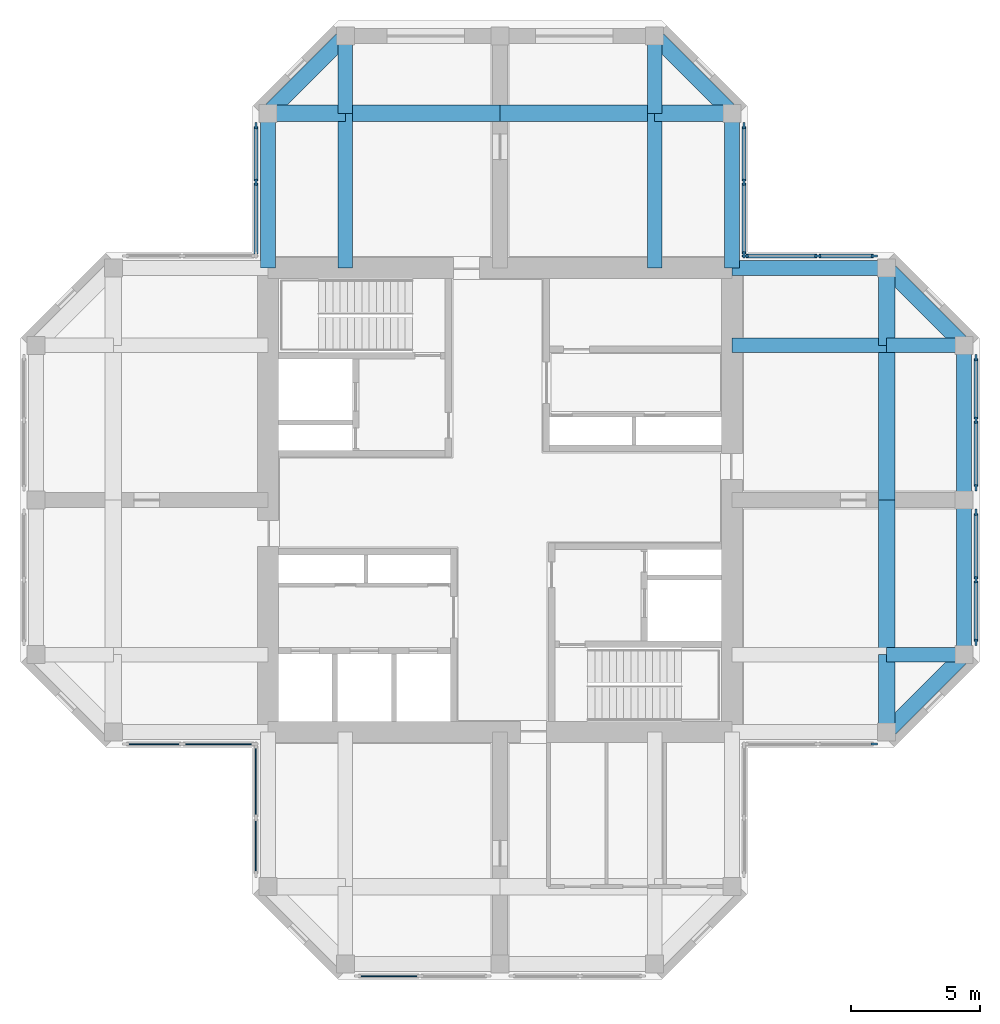
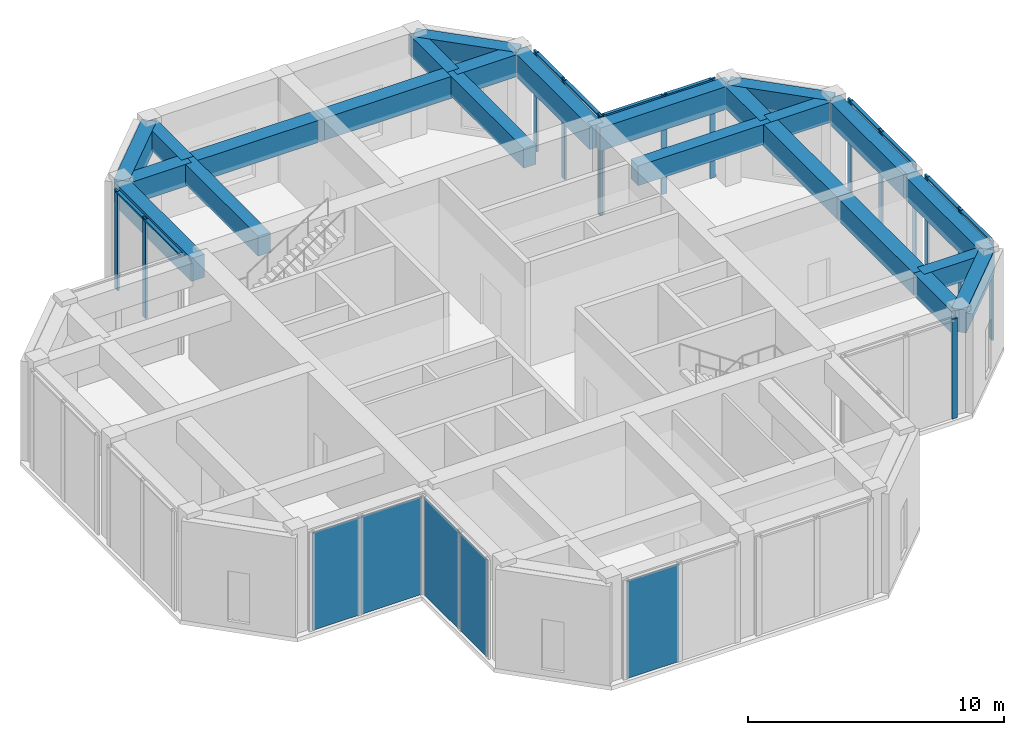
# One storey, part 3 of 8: 25 members, 24 beams, 5 plates, 8 elements without a shape of their own.
"""IFC4 building model written with IfcOpenShell, lengths in metres."""

from ifc_helpers import new_model, si_unit, direction, frame, origin, origin_2d, place, context, subcontext, project, spatial, rectangle, extrude, material, layer, layer_set, material_profile, profile_set, type_object, element, aggregate, save


model = new_model("IFC4")

# Units and contexts
model_context = context("Model", 3, precision=1e-05, world=origin(), true_north=direction((0.0, 1.0)))
body_context = subcontext(model_context, "Body", "Model", "MODEL_VIEW")
ifc_project = project(units=[si_unit("LENGTHUNIT", "METRE"), si_unit("AREAUNIT", "SQUARE_METRE"), si_unit("VOLUMEUNIT", "CUBIC_METRE"), si_unit("PLANEANGLEUNIT", "RADIAN"), si_unit("MASSUNIT", "GRAM", prefix="KILO")], contexts=[model_context])

# Site, building, storey
site_placement = place(None, origin())
site = spatial("IfcSite", under=ifc_project, at=site_placement, CompositionType="ELEMENT")
building_placement = place(site_placement, origin())
building = spatial("IfcBuilding", under=site, at=building_placement, Name="Torre Cruceta", CompositionType="ELEMENT")
storey_placement = place(building_placement, frame((0.0, 0.0, 288.300048828125)))
storey = spatial("IfcBuildingStorey", under=building, at=storey_placement, Name="L75", CompositionType="ELEMENT", Elevation=288.300048828125)

# Beams
ifc_material_1 = material(Name="Concrete G60 (fck 60 MPa)", Category="concrete")
ifc_material_profile_1 = material_profile(ifc_material_1, rectangle(XDim=0.550048828125, YDim=0.949951171875, at=origin_2d()), Name="RC 550X950")
ifc_profile_set_1 = profile_set([ifc_material_profile_1], Name="Concrete G60 (fck 60 MPa)")
beam_type_1 = type_object("IfcBeamType", Name="COLUMN LINE BEAM RC 550X950", PredefinedType="BEAM", material=ifc_profile_set_1)
beam_1_placement = place(storey_placement, frame((6.0, 9.0, 4.27490234375), z_axis=(0.0, 1.0, 0.0), x_axis=(-1.0, 0.0, 0.0)))
element("IfcBeam", 1, at=beam_1_placement, inside=storey, type_object=beam_type_1, Name="LB3 L75 N col- 1", PredefinedType="BEAM", context=body_context, shape_type="SweptSolid", body=[
    extrude(rectangle(XDim=0.550048828125, YDim=0.949951171875, at=origin_2d()), origin(), (0.0, 0.0, 1.0), 6.0),
])
beam_2_placement = place(storey_placement, frame((6.0, 15.0, 4.27490234375), z_axis=(0.0, 1.0, 0.0), x_axis=(-1.0, 0.0, 0.0)))
element("IfcBeam", 2, at=beam_2_placement, inside=storey, type_object=beam_type_1, Name="LB3 L75 N col- 2", PredefinedType="BEAM", context=body_context, shape_type="SweptSolid", body=[
    extrude(rectangle(XDim=0.550048828125, YDim=0.949951171875, at=origin_2d()), origin(), (0.0, 0.0, 1.0), 3.0),
])
beam_3_placement = place(storey_placement, frame((-6.0, 9.0, 4.27490234375), z_axis=(0.0, 1.0, 0.0), x_axis=(-1.0, 0.0, 0.0)))
element("IfcBeam", 3, at=beam_3_placement, inside=storey, type_object=beam_type_1, Name="LB3 L75 N col+ 1", PredefinedType="BEAM", context=body_context, shape_type="SweptSolid", body=[
    extrude(rectangle(XDim=0.550048828125, YDim=0.949951171875, at=origin_2d()), origin(), (0.0, 0.0, 1.0), 6.0),
])
for number, where, z_axis, x_axis, name in (
    (4, (-6.0, 15.0, 4.27490234375), (0.0, 1.0, 0.0), (-1.0, 0.0, 0.0), "LB3 L75 N col+ 2"),
    (5, (15.0, -6.0, 4.27490234375), (1.0, 0.0, 0.0), (0.0, 1.0, 0.0), "LB3 L75 E col- 2"),
):
    element("IfcBeam", number, at=place(storey_placement, frame(where, z_axis=z_axis, x_axis=x_axis)), inside=storey, type_object=beam_type_1, Name=name, PredefinedType="BEAM", context=body_context, shape_type="SweptSolid", body=[
        extrude(rectangle(XDim=0.550048828125, YDim=0.949951171875, at=origin_2d()), origin(), (0.0, 0.0, 1.0), 3.0),
    ])
beam_4_placement = place(storey_placement, frame((9.0, 6.0, 4.27490234375), z_axis=(1.0, 0.0, 0.0), x_axis=(0.0, 1.0, 0.0)))
element("IfcBeam", 6, at=beam_4_placement, inside=storey, type_object=beam_type_1, Name="LB3 L75 E col+ 1", PredefinedType="BEAM", context=body_context, shape_type="SweptSolid", body=[
    extrude(rectangle(XDim=0.550048828125, YDim=0.949951171875, at=origin_2d()), origin(), (0.0, 0.0, 1.0), 6.0),
])
beam_5_placement = place(storey_placement, frame((15.0, 6.0, 4.27490234375), z_axis=(1.0, 0.0, 0.0), x_axis=(0.0, 1.0, 0.0)))
element("IfcBeam", 7, at=beam_5_placement, inside=storey, type_object=beam_type_1, Name="LB3 L75 E col+ 2", PredefinedType="BEAM", context=body_context, shape_type="SweptSolid", body=[
    extrude(rectangle(XDim=0.550048828125, YDim=0.949951171875, at=origin_2d()), origin(), (0.0, 0.0, 1.0), 3.0),
])
ifc_material_2 = material(Name="Concrete G60 (fck 60 MPa)", Category="concrete")
ifc_material_profile_2 = material_profile(ifc_material_2, rectangle(XDim=0.64990234375, YDim=1.050048828125, at=origin_2d()), Name="RC 650X1050")
ifc_profile_set_2 = profile_set([ifc_material_profile_2], Name="Concrete G60 (fck 60 MPa)")
beam_type_2 = type_object("IfcBeamType", Name="CROSS BEAM RC 650X1050", PredefinedType="BEAM", material=ifc_profile_set_2)
beam_6_placement = place(storey_placement, frame((9.0, 15.0, 4.224853515625), z_axis=(-1.0, 0.0, 0.0), x_axis=(0.0, -1.0, 0.0)))
element("IfcBeam", 8, at=beam_6_placement, inside=storey, type_object=beam_type_2, Name="GB3 L75 N cross15 1", PredefinedType="BEAM", context=body_context, shape_type="SweptSolid", body=[
    extrude(rectangle(XDim=0.64990234375, YDim=1.050048828125, at=origin_2d()), origin(), (0.0, 0.0, 1.0), 3.0),
])
for number, where, z_axis, x_axis, name in (
    (9, (6.0, 15.0, 4.224853515625), (-1.0, 0.0, 0.0), (0.0, -1.0, 0.0), "GB3 L75 N cross15 2"),
    (10, (0.0, 15.0, 4.224853515625), (-1.0, 0.0, 0.0), (0.0, -1.0, 0.0), "GB3 L75 N cross15 3"),
):
    element("IfcBeam", number, at=place(storey_placement, frame(where, z_axis=z_axis, x_axis=x_axis)), inside=storey, type_object=beam_type_2, Name=name, PredefinedType="BEAM", context=body_context, shape_type="SweptSolid", body=[
        extrude(rectangle(XDim=0.64990234375, YDim=1.050048828125, at=origin_2d()), origin(), (0.0, 0.0, 1.0), 6.0),
    ])
for number, where, z_axis, x_axis, name in (
    (11, (-6.0, 15.0, 4.224853515625), (-1.0, 0.0, 0.0), (0.0, -1.0, 0.0), "GB3 L75 N cross15 4"),
    (12, (15.0, -9.0, 4.224853515625), (0.0, 1.0, 0.0), (-1.0, 0.0, 0.0), "GB3 L75 E cross15 1"),
):
    element("IfcBeam", number, at=place(storey_placement, frame(where, z_axis=z_axis, x_axis=x_axis)), inside=storey, type_object=beam_type_2, Name=name, PredefinedType="BEAM", context=body_context, shape_type="SweptSolid", body=[
        extrude(rectangle(XDim=0.64990234375, YDim=1.050048828125, at=origin_2d()), origin(), (0.0, 0.0, 1.0), 3.0),
    ])
for number, where, z_axis, x_axis, name in (
    (13, (15.0, -6.0, 4.224853515625), (0.0, 1.0, 0.0), (-1.0, 0.0, 0.0), "GB3 L75 E cross15 2"),
    (14, (15.0, 0.0, 4.224853515625), (0.0, 1.0, 0.0), (-1.0, 0.0, 0.0), "GB3 L75 E cross15 3"),
):
    element("IfcBeam", number, at=place(storey_placement, frame(where, z_axis=z_axis, x_axis=x_axis)), inside=storey, type_object=beam_type_2, Name=name, PredefinedType="BEAM", context=body_context, shape_type="SweptSolid", body=[
        extrude(rectangle(XDim=0.64990234375, YDim=1.050048828125, at=origin_2d()), origin(), (0.0, 0.0, 1.0), 6.0),
    ])
beam_7_placement = place(storey_placement, frame((15.0, 6.0, 4.224853515625), z_axis=(0.0, 1.0, 0.0), x_axis=(-1.0, 0.0, 0.0)))
element("IfcBeam", 15, at=beam_7_placement, inside=storey, type_object=beam_type_2, Name="GB3 L75 E cross15 4", PredefinedType="BEAM", context=body_context, shape_type="SweptSolid", body=[
    extrude(rectangle(XDim=0.64990234375, YDim=1.050048828125, at=origin_2d()), origin(), (0.0, 0.0, 1.0), 3.0),
])

# Curtain wall, member
ifc_material_3 = material(Name="Aluminium unitised curtain wall", Category="aluminium")
curtain_wall_type = type_object("IfcCurtainWallType", Name="CURTAIN WALL CW-S SKY GARDEN", PredefinedType="USERDEFINED", material=ifc_material_3)
curtain_wall_1_placement = place(storey_placement, origin())
curtain_wall_1 = element("IfcCurtainWall", 16, at=curtain_wall_1_placement, inside=storey, type_object=curtain_wall_type, Name="CW-S L75 E side 00", ObjectType="UNITISED", PredefinedType="USERDEFINED")
ifc_material_4 = material(Name="Aluminium mullion", Category="aluminium")
ifc_material_profile_3 = material_profile(ifc_material_4, rectangle(XDim=0.080078125, YDim=0.25, at=origin_2d()), Name="AL 80X250")
ifc_profile_set_3 = profile_set([ifc_material_profile_3], Name="Aluminium mullion")
member_type_1 = type_object("IfcMemberType", Name="CW-S MULLION 80X250", PredefinedType="MULLION", material=ifc_profile_set_3)
member_1_placement = place(storey_placement, frame((14.52392578125, -9.469970703125, 0.0), z_axis=(0.0, 0.0, 1.0), x_axis=(0.0, 1.0, 0.0)))
member_1 = element("IfcMember", 17, at=member_1_placement, type_object=member_type_1, Name="CW-S mullion 3", PredefinedType="MULLION", context=body_context, shape_type="SweptSolid", body=[
    extrude(rectangle(XDim=0.080078125, YDim=0.25, at=origin_2d()), origin(), (0.0, 0.0, 1.0), 4.75),
])
aggregate(curtain_wall_1, [member_1])

# Curtain wall, members
curtain_wall_2_placement = place(storey_placement, origin())
curtain_wall_2 = element("IfcCurtainWall", 18, at=curtain_wall_2_placement, inside=storey, type_object=curtain_wall_type, Name="CW-S L75 E tip 02", ObjectType="UNITISED", PredefinedType="USERDEFINED")
member_2_placement = place(storey_placement, frame((18.469970703125, -5.52392578125, 0.0), z_axis=(0.0, 0.0, 1.0), x_axis=(-1.0, 0.0, 0.0)))
member_2 = element("IfcMember", 19, at=member_2_placement, type_object=member_type_1, Name="CW-S mullion 1", PredefinedType="MULLION", context=body_context, shape_type="SweptSolid", body=[
    extrude(rectangle(XDim=0.080078125, YDim=0.25, at=origin_2d()), origin(), (0.0, 0.0, 1.0), 4.75),
])
member_3_placement = place(storey_placement, frame((18.469970703125, -3.097412109375, 0.0), z_axis=(0.0, 0.0, 1.0), x_axis=(-1.0, 0.0, 0.0)))
member_3 = element("IfcMember", 20, at=member_3_placement, type_object=member_type_1, Name="CW-S mullion 2", PredefinedType="MULLION", context=body_context, shape_type="SweptSolid", body=[
    extrude(rectangle(XDim=0.080078125, YDim=0.25, at=origin_2d()), origin(), (0.0, 0.0, 1.0), 4.75),
])
member_4_placement = place(storey_placement, frame((18.469970703125, -0.47607421875, 0.0), z_axis=(0.0, 0.0, 1.0), x_axis=(-1.0, 0.0, 0.0)))
member_4 = element("IfcMember", 21, at=member_4_placement, type_object=member_type_1, Name="CW-S mullion 3", PredefinedType="MULLION", context=body_context, shape_type="SweptSolid", body=[
    extrude(rectangle(XDim=0.080078125, YDim=0.25, at=origin_2d()), origin(), (0.0, 0.0, 1.0), 4.75),
])
member_5_placement = place(storey_placement, frame((18.469970703125, 0.47607421875, 0.0), z_axis=(0.0, 0.0, 1.0), x_axis=(-1.0, 0.0, 0.0)))
member_5 = element("IfcMember", 22, at=member_5_placement, type_object=member_type_1, Name="CW-S mullion 4", PredefinedType="MULLION", context=body_context, shape_type="SweptSolid", body=[
    extrude(rectangle(XDim=0.080078125, YDim=0.25, at=origin_2d()), origin(), (0.0, 0.0, 1.0), 4.75),
])
member_6_placement = place(storey_placement, frame((18.469970703125, 3.097412109375, 0.0), z_axis=(0.0, 0.0, 1.0), x_axis=(-1.0, 0.0, 0.0)))
member_6 = element("IfcMember", 23, at=member_6_placement, type_object=member_type_1, Name="CW-S mullion 5", PredefinedType="MULLION", context=body_context, shape_type="SweptSolid", body=[
    extrude(rectangle(XDim=0.080078125, YDim=0.25, at=origin_2d()), origin(), (0.0, 0.0, 1.0), 4.75),
])
member_7_placement = place(storey_placement, frame((18.469970703125, 5.52392578125, 0.0), z_axis=(0.0, 0.0, 1.0), x_axis=(-1.0, 0.0, 0.0)))
member_7 = element("IfcMember", 24, at=member_7_placement, type_object=member_type_1, Name="CW-S mullion 6", PredefinedType="MULLION", context=body_context, shape_type="SweptSolid", body=[
    extrude(rectangle(XDim=0.080078125, YDim=0.25, at=origin_2d()), origin(), (0.0, 0.0, 1.0), 4.75),
])

curtain_wall_3_placement = place(storey_placement, origin())
curtain_wall_3 = element("IfcCurtainWall", 25, at=curtain_wall_3_placement, inside=storey, type_object=curtain_wall_type, Name="CW-S L75 E side 04", ObjectType="UNITISED", PredefinedType="USERDEFINED")
member_8_placement = place(storey_placement, frame((14.52392578125, 9.469970703125, 0.0), z_axis=(0.0, 0.0, 1.0), x_axis=(0.0, -1.0, 0.0)))
member_8 = element("IfcMember", 26, at=member_8_placement, type_object=member_type_1, Name="CW-S mullion 1", PredefinedType="MULLION", context=body_context, shape_type="SweptSolid", body=[
    extrude(rectangle(XDim=0.080078125, YDim=0.25, at=origin_2d()), origin(), (0.0, 0.0, 1.0), 4.75),
])
member_9_placement = place(storey_placement, frame((12.332275390625, 9.469970703125, 0.0), z_axis=(0.0, 0.0, 1.0), x_axis=(0.0, -1.0, 0.0)))
member_9 = element("IfcMember", 27, at=member_9_placement, type_object=member_type_1, Name="CW-S mullion 2", PredefinedType="MULLION", context=body_context, shape_type="SweptSolid", body=[
    extrude(rectangle(XDim=0.080078125, YDim=0.25, at=origin_2d()), origin(), (0.0, 0.0, 1.0), 4.75),
])
member_10_placement = place(storey_placement, frame((9.510009765625, 9.469970703125, 0.0), z_axis=(0.0, 0.0, 1.0), x_axis=(0.0, -1.0, 0.0)))
member_10 = element("IfcMember", 28, at=member_10_placement, type_object=member_type_1, Name="CW-S mullion 3", PredefinedType="MULLION", context=body_context, shape_type="SweptSolid", body=[
    extrude(rectangle(XDim=0.080078125, YDim=0.25, at=origin_2d()), origin(), (0.0, 0.0, 1.0), 4.75),
])

curtain_wall_4_placement = place(storey_placement, origin())
curtain_wall_4 = element("IfcCurtainWall", 29, at=curtain_wall_4_placement, inside=storey, type_object=curtain_wall_type, Name="CW-S L75 N side 05", ObjectType="UNITISED", PredefinedType="USERDEFINED")
member_11_placement = place(storey_placement, frame((9.469970703125, 9.510009765625, 0.0), z_axis=(0.0, 0.0, 1.0), x_axis=(-1.0, 0.0, 0.0)))
member_11 = element("IfcMember", 30, at=member_11_placement, type_object=member_type_1, Name="CW-S mullion 1", PredefinedType="MULLION", context=body_context, shape_type="SweptSolid", body=[
    extrude(rectangle(XDim=0.080078125, YDim=0.25, at=origin_2d()), origin(), (0.0, 0.0, 1.0), 4.75),
])
member_12_placement = place(storey_placement, frame((9.469970703125, 12.332275390625, 0.0), z_axis=(0.0, 0.0, 1.0), x_axis=(-1.0, 0.0, 0.0)))
member_12 = element("IfcMember", 31, at=member_12_placement, type_object=member_type_1, Name="CW-S mullion 2", PredefinedType="MULLION", context=body_context, shape_type="SweptSolid", body=[
    extrude(rectangle(XDim=0.080078125, YDim=0.25, at=origin_2d()), origin(), (0.0, 0.0, 1.0), 4.75),
])
member_13_placement = place(storey_placement, frame((9.469970703125, 14.52392578125, 0.0), z_axis=(0.0, 0.0, 1.0), x_axis=(-1.0, 0.0, 0.0)))
member_13 = element("IfcMember", 32, at=member_13_placement, type_object=member_type_1, Name="CW-S mullion 3", PredefinedType="MULLION", context=body_context, shape_type="SweptSolid", body=[
    extrude(rectangle(XDim=0.080078125, YDim=0.25, at=origin_2d()), origin(), (0.0, 0.0, 1.0), 4.75),
])

curtain_wall_5_placement = place(storey_placement, origin())
curtain_wall_5 = element("IfcCurtainWall", 33, at=curtain_wall_5_placement, inside=storey, type_object=curtain_wall_type, Name="CW-S L75 N side 09", ObjectType="UNITISED", PredefinedType="USERDEFINED")
member_14_placement = place(storey_placement, frame((-9.469970703125, 14.52392578125, 0.0), z_axis=(0.0, 0.0, 1.0), x_axis=(1.0, 0.0, 0.0)))
member_14 = element("IfcMember", 34, at=member_14_placement, type_object=member_type_1, Name="CW-S mullion 1", PredefinedType="MULLION", context=body_context, shape_type="SweptSolid", body=[
    extrude(rectangle(XDim=0.080078125, YDim=0.25, at=origin_2d()), origin(), (0.0, 0.0, 1.0), 4.75),
])
member_15_placement = place(storey_placement, frame((-9.469970703125, 12.332275390625, 0.0), z_axis=(0.0, 0.0, 1.0), x_axis=(1.0, 0.0, 0.0)))
member_15 = element("IfcMember", 35, at=member_15_placement, type_object=member_type_1, Name="CW-S mullion 2", PredefinedType="MULLION", context=body_context, shape_type="SweptSolid", body=[
    extrude(rectangle(XDim=0.080078125, YDim=0.25, at=origin_2d()), origin(), (0.0, 0.0, 1.0), 4.75),
])

# Member
ifc_material_5 = material(Name="Aluminium transom", Category="aluminium")
ifc_material_profile_4 = material_profile(ifc_material_5, rectangle(XDim=0.14990234375, YDim=0.080078125, at=origin_2d()), Name="AL 150X80")
ifc_profile_set_4 = profile_set([ifc_material_profile_4], Name="Aluminium transom")
member_type_2 = type_object("IfcMemberType", Name="CW-S TRANSOM 80X150", PredefinedType="USERDEFINED", material=ifc_profile_set_4)
member_16_placement = place(storey_placement, frame((18.469970703125, -5.48388671875, 4.7099609375), z_axis=(0.0, 1.0, 0.0), x_axis=(-1.0, 0.0, 0.0)))
member_16 = element("IfcMember", 36, at=member_16_placement, type_object=member_type_2, Name="CW-S transom 1", ObjectType="TRANSOM", PredefinedType="USERDEFINED", context=body_context, shape_type="SweptSolid", body=[
    extrude(rectangle(XDim=0.14990234375, YDim=0.080078125, at=origin_2d()), origin(), (0.0, 0.0, 1.0), 2.346435546875),
])

member_17_placement = place(storey_placement, frame((18.469970703125, -3.057373046875, 4.7099609375), z_axis=(0.0, 1.0, 0.0), x_axis=(-1.0, 0.0, 0.0)))
member_17 = element("IfcMember", 37, at=member_17_placement, type_object=member_type_2, Name="CW-S transom 2", ObjectType="TRANSOM", PredefinedType="USERDEFINED", context=body_context, shape_type="SweptSolid", body=[
    extrude(rectangle(XDim=0.14990234375, YDim=0.080078125, at=origin_2d()), origin(), (0.0, 0.0, 1.0), 2.541259765625),
])

member_18_placement = place(storey_placement, frame((18.469970703125, 0.51611328125, 4.7099609375), z_axis=(0.0, 1.0, 0.0), x_axis=(-1.0, 0.0, 0.0)))
member_18 = element("IfcMember", 38, at=member_18_placement, type_object=member_type_2, Name="CW-S transom 3", ObjectType="TRANSOM", PredefinedType="USERDEFINED", context=body_context, shape_type="SweptSolid", body=[
    extrude(rectangle(XDim=0.14990234375, YDim=0.080078125, at=origin_2d()), origin(), (0.0, 0.0, 1.0), 2.541259765625),
])

member_19_placement = place(storey_placement, frame((18.469970703125, 3.137451171875, 4.7099609375), z_axis=(0.0, 1.0, 0.0), x_axis=(-1.0, 0.0, 0.0)))
member_19 = element("IfcMember", 39, at=member_19_placement, type_object=member_type_2, Name="CW-S transom 4", ObjectType="TRANSOM", PredefinedType="USERDEFINED", context=body_context, shape_type="SweptSolid", body=[
    extrude(rectangle(XDim=0.14990234375, YDim=0.080078125, at=origin_2d()), origin(), (0.0, 0.0, 1.0), 2.346435546875),
])

aggregate(curtain_wall_2, [member_2, member_3, member_4, member_5, member_6, member_7, member_16, member_17, member_18, member_19])

member_20_placement = place(storey_placement, frame((14.48388671875, 9.469970703125, 4.7099609375), z_axis=(-1.0, 0.0, 0.0), x_axis=(0.0, -1.0, 0.0)))
member_20 = element("IfcMember", 40, at=member_20_placement, type_object=member_type_2, Name="CW-S transom 1", ObjectType="TRANSOM", PredefinedType="USERDEFINED", context=body_context, shape_type="SweptSolid", body=[
    extrude(rectangle(XDim=0.14990234375, YDim=0.080078125, at=origin_2d()), origin(), (0.0, 0.0, 1.0), 2.111572265625),
])

member_21_placement = place(storey_placement, frame((12.292236328125, 9.469970703125, 4.7099609375), z_axis=(-1.0, 0.0, 0.0), x_axis=(0.0, -1.0, 0.0)))
member_21 = element("IfcMember", 41, at=member_21_placement, type_object=member_type_2, Name="CW-S transom 2", ObjectType="TRANSOM", PredefinedType="USERDEFINED", context=body_context, shape_type="SweptSolid", body=[
    extrude(rectangle(XDim=0.14990234375, YDim=0.080078125, at=origin_2d()), origin(), (0.0, 0.0, 1.0), 2.7421875),
])

aggregate(curtain_wall_3, [member_8, member_9, member_10, member_20, member_21])

member_22_placement = place(storey_placement, frame((9.469970703125, 9.550048828125, 4.7099609375), z_axis=(0.0, 1.0, 0.0), x_axis=(-1.0, 0.0, 0.0)))
member_22 = element("IfcMember", 42, at=member_22_placement, type_object=member_type_2, Name="CW-S transom 1", ObjectType="TRANSOM", PredefinedType="USERDEFINED", context=body_context, shape_type="SweptSolid", body=[
    extrude(rectangle(XDim=0.14990234375, YDim=0.080078125, at=origin_2d()), origin(), (0.0, 0.0, 1.0), 2.7421875),
])

member_23_placement = place(storey_placement, frame((9.469970703125, 12.372314453125, 4.7099609375), z_axis=(0.0, 1.0, 0.0), x_axis=(-1.0, 0.0, 0.0)))
member_23 = element("IfcMember", 43, at=member_23_placement, type_object=member_type_2, Name="CW-S transom 2", ObjectType="TRANSOM", PredefinedType="USERDEFINED", context=body_context, shape_type="SweptSolid", body=[
    extrude(rectangle(XDim=0.14990234375, YDim=0.080078125, at=origin_2d()), origin(), (0.0, 0.0, 1.0), 2.111572265625),
])

aggregate(curtain_wall_4, [member_11, member_12, member_13, member_22, member_23])

member_24_placement = place(storey_placement, frame((-9.469970703125, 14.48388671875, 4.7099609375), z_axis=(0.0, -1.0, 0.0), x_axis=(1.0, 0.0, 0.0)))
member_24 = element("IfcMember", 44, at=member_24_placement, type_object=member_type_2, Name="CW-S transom 1", ObjectType="TRANSOM", PredefinedType="USERDEFINED", context=body_context, shape_type="SweptSolid", body=[
    extrude(rectangle(XDim=0.14990234375, YDim=0.080078125, at=origin_2d()), origin(), (0.0, 0.0, 1.0), 2.111572265625),
])

member_25_placement = place(storey_placement, frame((-9.469970703125, 12.292236328125, 4.7099609375), z_axis=(0.0, -1.0, 0.0), x_axis=(1.0, 0.0, 0.0)))
member_25 = element("IfcMember", 45, at=member_25_placement, type_object=member_type_2, Name="CW-S transom 2", ObjectType="TRANSOM", PredefinedType="USERDEFINED", context=body_context, shape_type="SweptSolid", body=[
    extrude(rectangle(XDim=0.14990234375, YDim=0.080078125, at=origin_2d()), origin(), (0.0, 0.0, 1.0), 2.7421875),
])

aggregate(curtain_wall_5, [member_14, member_15, member_24, member_25])

# Beams
ifc_material_6 = material(Name="Concrete G60 (fck 60 MPa)", Category="concrete")
ifc_material_profile_5 = material_profile(ifc_material_6, rectangle(XDim=0.60009765625, YDim=1.10009765625, at=origin_2d()), Name="RC 600X1100")
ifc_profile_set_5 = profile_set([ifc_material_profile_5], Name="Concrete G60 (fck 60 MPa)")
beam_type_3 = type_object("IfcBeamType", Name="SPANDREL BEAM RC 600X1100", PredefinedType="SPANDREL", material=ifc_profile_set_5)
beam_8_placement = place(storey_placement, frame((9.0, 9.0, 4.199951171875), z_axis=(0.0, 1.0, 0.0), x_axis=(-1.0, 0.0, 0.0)))
element("IfcBeam", 46, at=beam_8_placement, inside=storey, type_object=beam_type_3, Name="SB2 L75 N side- 1", PredefinedType="SPANDREL", context=body_context, shape_type="SweptSolid", body=[
    extrude(rectangle(XDim=0.60009765625, YDim=1.10009765625, at=origin_2d()), origin(), (0.0, 0.0, 1.0), 6.0),
])
beam_9_placement = place(storey_placement, frame((9.0, 15.0, 4.199951171875), z_axis=(-0.707106781187, 0.707106781187, 0.0), x_axis=(-0.707106781187, -0.707106781187, 0.0)))
element("IfcBeam", 47, at=beam_9_placement, inside=storey, type_object=beam_type_3, Name="SB2 L75 N side- 2", PredefinedType="SPANDREL", context=body_context, shape_type="SweptSolid", body=[
    extrude(rectangle(XDim=0.60009765625, YDim=1.10009765625, at=origin_2d()), origin(), (0.0, 0.0, 1.0), 4.24267578125),
])
beam_10_placement = place(storey_placement, frame((-9.0, 9.0, 4.199951171875), z_axis=(0.0, 1.0, 0.0), x_axis=(-1.0, 0.0, 0.0)))
element("IfcBeam", 48, at=beam_10_placement, inside=storey, type_object=beam_type_3, Name="SB2 L75 N side+ 1", PredefinedType="SPANDREL", context=body_context, shape_type="SweptSolid", body=[
    extrude(rectangle(XDim=0.60009765625, YDim=1.10009765625, at=origin_2d()), origin(), (0.0, 0.0, 1.0), 6.0),
])
for number, where, z_axis, x_axis, name in (
    (49, (-9.0, 15.0, 4.199951171875), (0.707106781187, 0.707106781187, 0.0), (-0.707106781187, 0.707106781187, 0.0), "SB2 L75 N side+ 2"),
    (50, (15.0, -9.0, 4.199951171875), (0.707106781187, 0.707106781187, 0.0), (-0.707106781187, 0.707106781187, 0.0), "SB2 L75 E side- 2"),
):
    element("IfcBeam", number, at=place(storey_placement, frame(where, z_axis=z_axis, x_axis=x_axis)), inside=storey, type_object=beam_type_3, Name=name, PredefinedType="SPANDREL", context=body_context, shape_type="SweptSolid", body=[
        extrude(rectangle(XDim=0.60009765625, YDim=1.10009765625, at=origin_2d()), origin(), (0.0, 0.0, 1.0), 4.24267578125),
    ])
beam_11_placement = place(storey_placement, frame((9.0, 9.0, 4.199951171875), z_axis=(1.0, 0.0, 0.0), x_axis=(0.0, 1.0, 0.0)))
element("IfcBeam", 51, at=beam_11_placement, inside=storey, type_object=beam_type_3, Name="SB2 L75 E side+ 1", PredefinedType="SPANDREL", context=body_context, shape_type="SweptSolid", body=[
    extrude(rectangle(XDim=0.60009765625, YDim=1.10009765625, at=origin_2d()), origin(), (0.0, 0.0, 1.0), 6.0),
])
beam_12_placement = place(storey_placement, frame((15.0, 9.0, 4.199951171875), z_axis=(0.707106781187, -0.707106781187, 0.0), x_axis=(0.707106781187, 0.707106781187, 0.0)))
element("IfcBeam", 52, at=beam_12_placement, inside=storey, type_object=beam_type_3, Name="SB2 L75 E side+ 2", PredefinedType="SPANDREL", context=body_context, shape_type="SweptSolid", body=[
    extrude(rectangle(XDim=0.60009765625, YDim=1.10009765625, at=origin_2d()), origin(), (0.0, 0.0, 1.0), 4.24267578125),
])
for number, where, z_axis, x_axis, name in (
    (53, (18.0, -6.0, 4.199951171875), (0.0, 1.0, 0.0), (-1.0, 0.0, 0.0), "SB2 L75 E tip 1"),
    (54, (18.0, 0.0, 4.199951171875), (0.0, 1.0, 0.0), (-1.0, 0.0, 0.0), "SB2 L75 E tip 2"),
):
    element("IfcBeam", number, at=place(storey_placement, frame(where, z_axis=z_axis, x_axis=x_axis)), inside=storey, type_object=beam_type_3, Name=name, PredefinedType="SPANDREL", context=body_context, shape_type="SweptSolid", body=[
        extrude(rectangle(XDim=0.60009765625, YDim=1.10009765625, at=origin_2d()), origin(), (0.0, 0.0, 1.0), 6.0),
    ])

# Curtain wall, plate
curtain_wall_6_placement = place(storey_placement, origin())
curtain_wall_6 = element("IfcCurtainWall", 55, at=curtain_wall_6_placement, inside=storey, type_object=curtain_wall_type, Name="CW-S L75 W side 14", ObjectType="UNITISED", PredefinedType="USERDEFINED")
ifc_material_7 = material(Name="Laminated insulating glass unit, low-iron clear", Category="glass")
ifc_material_8 = material(Name="Laminated insulating glass unit, low-iron clear", Category="glass")
ifc_layer_1 = layer(ifc_material_8, 0.0400390625)
ifc_layer_set_1 = layer_set([ifc_layer_1], Name="Laminated insulating glass unit, low-iron clear")
plate_type_1 = type_object("IfcPlateType", Name="CW-S OPERABLE VENT PANEL 40", PredefinedType="CURTAIN_PANEL", material=ifc_layer_set_1)
plate_1_placement = place(storey_placement, frame((-10.921142578125, -9.469970703125, 0.009765625), z_axis=(0.0, 0.0, 1.0), x_axis=(1.0, 0.0, 0.0)))
plate_1 = element("IfcPlate", 56, at=plate_1_placement, type_object=plate_type_1, material=ifc_material_7, Name="CW-S vent 2", PredefinedType="CURTAIN_PANEL", context=body_context, shape_type="SweptSolid", body=[
    extrude(rectangle(XDim=2.742431640625, YDim=0.0400390625, at=origin_2d()), origin(), (0.0, 0.0, 1.0), 4.659912109375),
])

curtain_wall_7_placement = place(storey_placement, origin())
curtain_wall_7 = element("IfcCurtainWall", 57, at=curtain_wall_7_placement, inside=storey, type_object=curtain_wall_type, Name="CW-S L75 S side 15", ObjectType="UNITISED", PredefinedType="USERDEFINED")
plate_2_placement = place(storey_placement, frame((-9.469970703125, -13.42822265625, 0.009765625), z_axis=(0.0, 0.0, 1.0), x_axis=(0.0, -1.0, 0.0)))
plate_2 = element("IfcPlate", 58, at=plate_2_placement, type_object=plate_type_1, material=ifc_material_7, Name="CW-S vent 2", PredefinedType="CURTAIN_PANEL", context=body_context, shape_type="SweptSolid", body=[
    extrude(rectangle(XDim=2.111572265625, YDim=0.0400390625, at=origin_2d()), origin(), (0.0, 0.0, 1.0), 4.659912109375),
])

# Plate
ifc_material_9 = material(Name="Laminated insulating glass unit, low-iron clear", Category="glass")
ifc_layer_2 = layer(ifc_material_9, 0.0400390625)
ifc_layer_set_2 = layer_set([ifc_layer_2], Name="Laminated insulating glass unit, low-iron clear")
plate_type_2 = type_object("IfcPlateType", Name="CW-S PANEL 40 CLEAR GLASS", PredefinedType="CURTAIN_PANEL", material=ifc_layer_set_2)
plate_3_placement = place(storey_placement, frame((-13.42822265625, -9.469970703125, 0.009765625), z_axis=(0.0, 0.0, 1.0), x_axis=(1.0, 0.0, 0.0)))
plate_3 = element("IfcPlate", 59, at=plate_3_placement, type_object=plate_type_2, material=ifc_material_7, Name="CW-S panel 1", PredefinedType="CURTAIN_PANEL", context=body_context, shape_type="SweptSolid", body=[
    extrude(rectangle(XDim=2.111572265625, YDim=0.0400390625, at=origin_2d()), origin(), (0.0, 0.0, 1.0), 4.659912109375),
])

aggregate(curtain_wall_6, [plate_3, plate_1])

plate_4_placement = place(storey_placement, frame((-9.469970703125, -10.921142578125, 0.009765625), z_axis=(0.0, 0.0, 1.0), x_axis=(0.0, -1.0, 0.0)))
plate_4 = element("IfcPlate", 60, at=plate_4_placement, type_object=plate_type_2, material=ifc_material_7, Name="CW-S panel 1", PredefinedType="CURTAIN_PANEL", context=body_context, shape_type="SweptSolid", body=[
    extrude(rectangle(XDim=2.742431640625, YDim=0.0400390625, at=origin_2d()), origin(), (0.0, 0.0, 1.0), 4.659912109375),
])

aggregate(curtain_wall_7, [plate_4, plate_2])

# Curtain wall, plate
curtain_wall_8_placement = place(storey_placement, origin())
curtain_wall_8 = element("IfcCurtainWall", 61, at=curtain_wall_8_placement, inside=storey, type_object=curtain_wall_type, Name="CW-S L75 S tip 17", ObjectType="UNITISED", PredefinedType="USERDEFINED")
plate_5_placement = place(storey_placement, frame((-4.310791015625, -18.469970703125, 0.009765625), z_axis=(0.0, 0.0, 1.0), x_axis=(1.0, 0.0, 0.0)))
plate_5 = element("IfcPlate", 62, at=plate_5_placement, type_object=plate_type_2, material=ifc_material_7, Name="CW-S panel 1", PredefinedType="CURTAIN_PANEL", context=body_context, shape_type="SweptSolid", body=[
    extrude(rectangle(XDim=2.3466796875, YDim=0.0400390625, at=origin_2d()), origin(), (0.0, 0.0, 1.0), 4.659912109375),
])
aggregate(curtain_wall_8, [plate_5])

save(model, "model.ifc")
